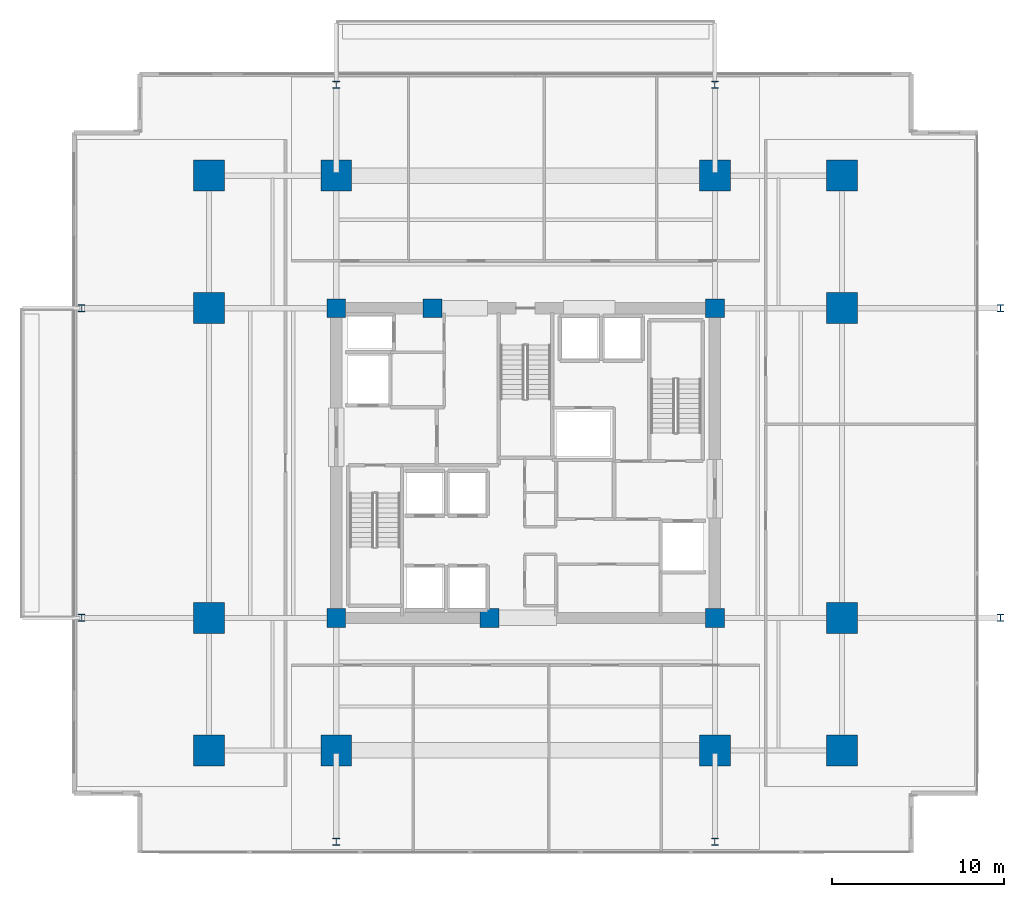
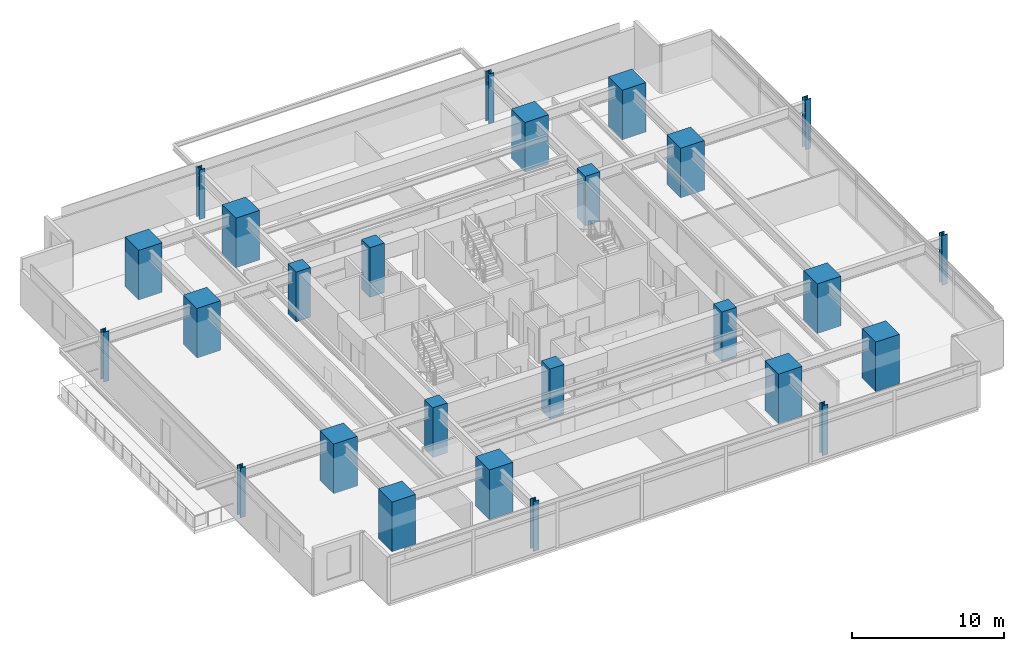
# One storey, part 1 of 22: 26 columns.
"""IFC4 building model written with IfcOpenShell, lengths in metres."""

from ifc_helpers import new_model, si_unit, direction, frame, origin, origin_2d, place, context, subcontext, project, spatial, rectangle, i_section, extrude, material, material_profile, profile_set, type_object, element, save


model = new_model("IFC4")

# Units and contexts
model_context = context("Model", 3, precision=1e-05, world=origin(), true_north=direction((0.0, 1.0)))
body_context = subcontext(model_context, "Body", "Model", "MODEL_VIEW")
ifc_project = project(units=[si_unit("LENGTHUNIT", "METRE"), si_unit("AREAUNIT", "SQUARE_METRE"), si_unit("VOLUMEUNIT", "CUBIC_METRE"), si_unit("PLANEANGLEUNIT", "RADIAN"), si_unit("MASSUNIT", "GRAM", prefix="KILO")], contexts=[model_context])

# Site, building, storey
site_placement = place(None, origin())
site = spatial("IfcSite", under=ifc_project, at=site_placement, CompositionType="ELEMENT")
building_placement = place(site_placement, origin())
building = spatial("IfcBuilding", under=site, at=building_placement, Name="Kovane Verandah Tower", CompositionType="ELEMENT")
storey_placement = place(building_placement, frame((0.0, 0.0, 79.60009765625)))
storey = spatial("IfcBuildingStorey", under=building, at=storey_placement, Name="L18", CompositionType="ELEMENT", Elevation=79.60009765625)

# Columns
ifc_material_1 = material(Name="Concrete C80/95", Category="concrete")
ifc_material_profile_1 = material_profile(ifc_material_1, rectangle(XDim=1.800048828125, YDim=1.800048828125, at=origin_2d()), Name="RC1800x1800")
ifc_profile_set_1 = profile_set([ifc_material_profile_1], Name="Concrete C80/95")
column_type_1 = type_object("IfcColumnType", Name="COL-RC1800", PredefinedType="COLUMN", material=ifc_profile_set_1)
for number, where, z_axis, x_axis, name in (
    (1, (29.0, 10.800048828125, 0.0), (0.0, 0.0, 1.0), (1.0, 0.0, 0.0), "L18 Tower Mega-Column MC-S1"),
    (2, (51.0, 10.800048828125, 0.0), (0.0, 0.0, 1.0), (1.0, 0.0, 0.0), "L18 Tower Mega-Column MC-S2"),
    (3, (29.0, 44.199951171875, 0.0), (0.0, 0.0, 1.0), (1.0, 0.0, 0.0), "L18 Tower Mega-Column MC-N1"),
    (4, (51.0, 44.199951171875, 0.0), (0.0, 0.0, 1.0), (1.0, 0.0, 0.0), "L18 Tower Mega-Column MC-N2"),
    (5, (21.60009765625, 18.5, 0.0), (0.0, 0.0, 1.0), (1.0, 0.0, 0.0), "L18 Tower Mega-Column MC-W1"),
    (6, (21.60009765625, 36.5, 0.0), (0.0, 0.0, 1.0), (1.0, 0.0, 0.0), "L18 Tower Mega-Column MC-W2"),
    (7, (58.39990234375, 18.5, 0.0), (0.0, 0.0, 1.0), (1.0, 0.0, 0.0), "L18 Tower Mega-Column MC-E1"),
    (8, (58.39990234375, 36.5, 0.0), (0.0, 0.0, 1.0), (1.0, 0.0, 0.0), "L18 Tower Mega-Column MC-E2"),
    (9, (21.60009765625, 10.800048828125, 0.0), (0.0, 0.0, 1.0), (1.0, 0.0, 0.0), "L18 Tower Mega-Column MC-SW"),
    (10, (58.39990234375, 10.800048828125, 0.0), (0.0, 0.0, 1.0), (1.0, 0.0, 0.0), "L18 Tower Mega-Column MC-SE"),
    (11, (21.60009765625, 44.199951171875, 0.0), (0.0, 0.0, 1.0), (1.0, 0.0, 0.0), "L18 Tower Mega-Column MC-NW"),
    (12, (58.39990234375, 44.199951171875, 0.0), (0.0, 0.0, 1.0), (1.0, 0.0, 0.0), "L18 Tower Mega-Column MC-NE"),
):
    element("IfcColumn", number, at=place(storey_placement, frame(where, z_axis=z_axis, x_axis=x_axis)), inside=storey, type_object=column_type_1, Name=name, PredefinedType="COLUMN", context=body_context, shape_type="SweptSolid", body=[
        extrude(rectangle(XDim=1.800048828125, YDim=1.800048828125, at=origin_2d()), origin(), (0.0, 0.0, 1.0), 4.0),
    ])
ifc_material_2 = material(Name="Steel S460", Category="steel")
ifc_material_profile_2 = material_profile(ifc_material_2, i_section(OverallWidth=0.412109375, OverallDepth=0.4365234375, WebThickness=0.035888671875, FlangeThickness=0.05810546875, FilletRadius=0.01513671875, at=origin_2d()), Name="UC356x406x467")
ifc_profile_set_2 = profile_set([ifc_material_profile_2], Name="Steel S460")
column_type_2 = type_object("IfcColumnType", Name="COL-UC467", PredefinedType="COLUMN", material=ifc_profile_set_2)
for number, where, z_axis, x_axis, name in (
    (13, (14.199951171875, 18.5, 0.0), (0.0, 0.0, 1.0), (1.0, 0.0, 0.0), "L18 Verandah Perimeter Column VC-W1"),
    (14, (14.199951171875, 36.5, 0.0), (0.0, 0.0, 1.0), (1.0, 0.0, 0.0), "L18 Verandah Perimeter Column VC-W2"),
    (15, (67.60009765625, 18.5, 0.0), (0.0, 0.0, 1.0), (1.0, 0.0, 0.0), "L18 Verandah Perimeter Column VC-E1"),
    (16, (67.60009765625, 36.5, 0.0), (0.0, 0.0, 1.0), (1.0, 0.0, 0.0), "L18 Verandah Perimeter Column VC-E2"),
    (17, (29.0, 5.5, 0.0), (0.0, 0.0, 1.0), (1.0, 0.0, 0.0), "L18 Verandah Perimeter Column VC-S1"),
    (18, (51.0, 5.5, 0.0), (0.0, 0.0, 1.0), (1.0, 0.0, 0.0), "L18 Verandah Perimeter Column VC-S2"),
    (19, (29.0, 49.5, 0.0), (0.0, 0.0, 1.0), (1.0, 0.0, 0.0), "L18 Verandah Perimeter Column VC-N1"),
    (20, (51.0, 49.5, 0.0), (0.0, 0.0, 1.0), (1.0, 0.0, 0.0), "L18 Verandah Perimeter Column VC-N2"),
):
    element("IfcColumn", number, at=place(storey_placement, frame(where, z_axis=z_axis, x_axis=x_axis)), inside=storey, type_object=column_type_2, Name=name, PredefinedType="COLUMN", context=body_context, shape_type="SweptSolid", body=[
        extrude(i_section(OverallWidth=0.412109375, OverallDepth=0.4365234375, WebThickness=0.035888671875, FlangeThickness=0.05810546875, FilletRadius=0.01513671875, at=origin_2d()), origin(), (0.0, 0.0, 1.0), 4.0),
    ])
ifc_material_profile_3 = material_profile(ifc_material_1, rectangle(XDim=1.10009765625, YDim=1.10009765625, at=origin_2d()), Name="RC1100x1100")
ifc_profile_set_3 = profile_set([ifc_material_profile_3], Name="Concrete C80/95")
column_type_3 = type_object("IfcColumnType", Name="PIL-RC1100", PredefinedType="PILASTER", material=ifc_profile_set_3)
for number, where, z_axis, x_axis, name in (
    (21, (29.0, 18.5, 0.0), (0.0, 0.0, 1.0), (1.0, 0.0, 0.0), "L18 Core Pilaster CP-SW"),
    (22, (51.0, 18.5, 0.0), (0.0, 0.0, 1.0), (1.0, 0.0, 0.0), "L18 Core Pilaster CP-SE"),
    (23, (29.0, 36.5, 0.0), (0.0, 0.0, 1.0), (1.0, 0.0, 0.0), "L18 Core Pilaster CP-NW"),
    (24, (51.0, 36.5, 0.0), (0.0, 0.0, 1.0), (1.0, 0.0, 0.0), "L18 Core Pilaster CP-NE"),
    (25, (37.89990234375, 18.5, 0.0), (0.0, 0.0, 1.0), (1.0, 0.0, 0.0), "L18 Core Pilaster CP-S"),
    (26, (34.60009765625, 36.5, 0.0), (0.0, 0.0, 1.0), (1.0, 0.0, 0.0), "L18 Core Pilaster CP-N"),
):
    element("IfcColumn", number, at=place(storey_placement, frame(where, z_axis=z_axis, x_axis=x_axis)), inside=storey, type_object=column_type_3, Name=name, PredefinedType="PILASTER", context=body_context, shape_type="SweptSolid", body=[
        extrude(rectangle(XDim=1.10009765625, YDim=1.10009765625, at=origin_2d()), origin(), (0.0, 0.0, 1.0), 4.0),
    ])

save(model, "model.ifc")
